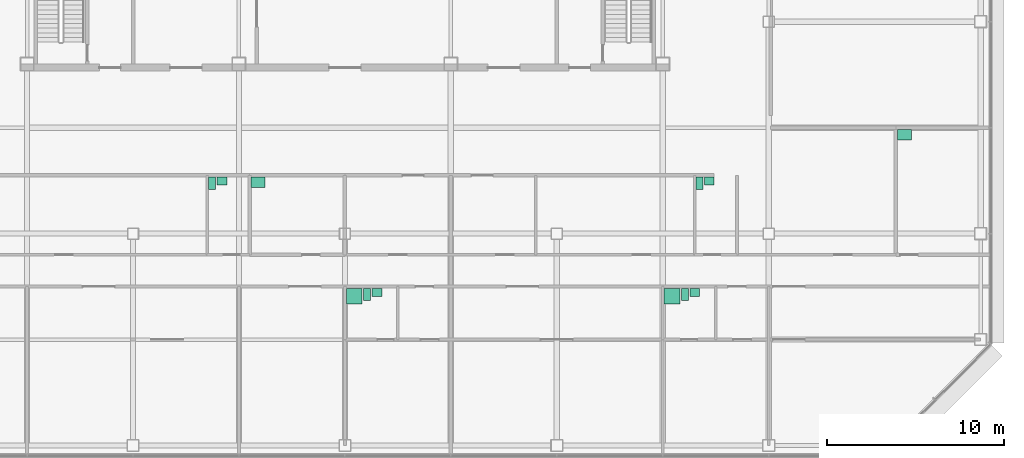
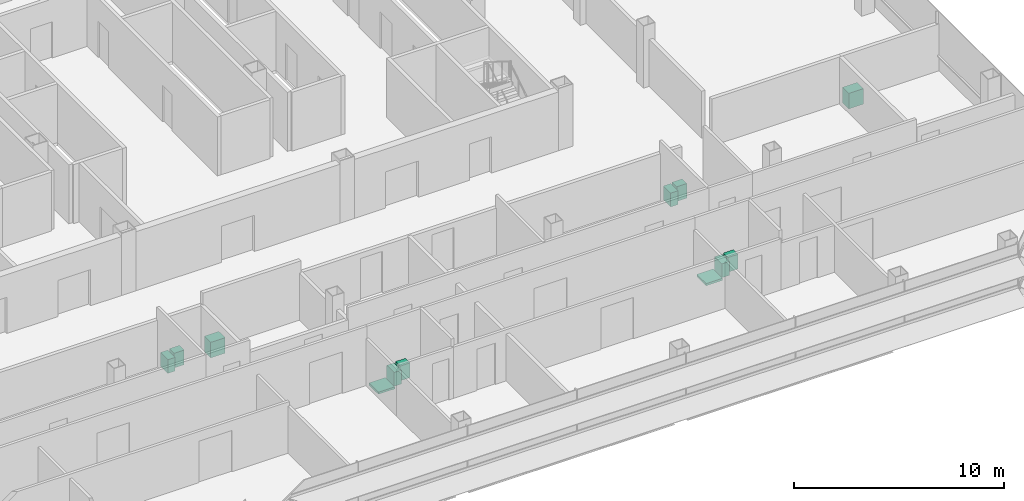
# One storey, part 24 of 24: 12 sanitary terminals.
"""IFC4 building model written with IfcOpenShell, lengths in metres."""

from ifc_helpers import new_model, si_unit, direction, frame, origin, origin_2d, place, context, subcontext, project, spatial, rectangle, extrude, element, save


model = new_model("IFC4")

# Units and contexts
model_context = context("Model", 3, precision=1e-05, world=origin(), true_north=direction((0.0, 1.0)))
body_context = subcontext(model_context, "Body", "Model", "MODEL_VIEW")
ifc_project = project(units=[si_unit("LENGTHUNIT", "METRE"), si_unit("AREAUNIT", "SQUARE_METRE"), si_unit("VOLUMEUNIT", "CUBIC_METRE"), si_unit("PLANEANGLEUNIT", "RADIAN"), si_unit("MASSUNIT", "GRAM", prefix="KILO")], contexts=[model_context])

# Site, building, storey
site_placement = place(None, origin())
site = spatial("IfcSite", under=ifc_project, at=site_placement, CompositionType="ELEMENT")
building_placement = place(site_placement, origin())
building = spatial("IfcBuilding", under=site, at=building_placement, Name="Sorahane Residences", CompositionType="ELEMENT")
storey_placement = place(building_placement, frame((0.0, 0.0, 174.39990234375)))
storey = spatial("IfcBuildingStorey", under=building, at=storey_placement, Name="L40", CompositionType="ELEMENT", Elevation=174.39990234375)

# Sanitary terminals
sanitary_terminal_1_placement = place(storey_placement, frame((24.530029296875, 8.449951171875, 0.0), z_axis=(0.0, 0.0, 1.0), x_axis=(1.0, 0.0, 0.0)))
element("IfcSanitaryTerminal", 1, at=sanitary_terminal_1_placement, inside=storey, Name="Shower tray En-suite bathroom 40A", PredefinedType="SHOWER", context=body_context, shape_type="SweptSolid", body=[
    extrude(rectangle(XDim=0.89990234375, YDim=0.89990234375, at=origin_2d()), origin(), (0.0, 0.0, 1.0), 0.1201171875),
])
sanitary_terminal_2_placement = place(storey_placement, frame((25.260009765625, 8.550048828125, 0.0), z_axis=(0.0, 0.0, 1.0), x_axis=(1.0, 0.0, 0.0)))
element("IfcSanitaryTerminal", 2, at=sanitary_terminal_2_placement, inside=storey, Name="WC pan En-suite bathroom 40A", PredefinedType="TOILETPAN", context=body_context, shape_type="SweptSolid", body=[
    extrude(rectangle(XDim=0.39990234375, YDim=0.699951171875, at=origin_2d()), origin(), (0.0, 0.0, 1.0), 0.800048828125),
])
sanitary_terminal_3_placement = place(storey_placement, frame((25.81494140625, 8.675048828125, 0.0), z_axis=(0.0, 0.0, 1.0), x_axis=(1.0, 0.0, 0.0)))
element("IfcSanitaryTerminal", 3, at=sanitary_terminal_3_placement, inside=storey, Name="Wash basin En-suite bathroom 40A", PredefinedType="WASHHANDBASIN", context=body_context, shape_type="SweptSolid", body=[
    extrude(rectangle(XDim=0.550048828125, YDim=0.449951171875, at=origin_2d()), origin(), (0.0, 0.0, 1.0), 0.85009765625),
])
sanitary_terminal_4_placement = place(storey_placement, frame((16.47998046875, 14.85009765625, 0.0), z_axis=(0.0, 0.0, 1.0), x_axis=(1.0, 0.0, 0.0)))
element("IfcSanitaryTerminal", 4, at=sanitary_terminal_4_placement, inside=storey, Name="WC pan Guest WC 40A", PredefinedType="TOILETPAN", context=body_context, shape_type="SweptSolid", body=[
    extrude(rectangle(XDim=0.39990234375, YDim=0.699951171875, at=origin_2d()), origin(), (0.0, 0.0, 1.0), 0.800048828125),
])
sanitary_terminal_5_placement = place(storey_placement, frame((17.034912109375, 14.97509765625, 0.0), z_axis=(0.0, 0.0, 1.0), x_axis=(1.0, 0.0, 0.0)))
element("IfcSanitaryTerminal", 5, at=sanitary_terminal_5_placement, inside=storey, Name="Wash basin Guest WC 40A", PredefinedType="WASHHANDBASIN", context=body_context, shape_type="SweptSolid", body=[
    extrude(rectangle(XDim=0.550048828125, YDim=0.449951171875, at=origin_2d()), origin(), (0.0, 0.0, 1.0), 0.85009765625),
])
sanitary_terminal_6_placement = place(storey_placement, frame((19.080078125, 14.89990234375, 0.000244140625), z_axis=(0.0, 0.0, 1.0), x_axis=(1.0, 0.0, 0.0)))
element("IfcSanitaryTerminal", 6, at=sanitary_terminal_6_placement, inside=storey, Name="Kitchen sink Kitchen 40A", PredefinedType="SINK", context=body_context, shape_type="SweptSolid", body=[
    extrude(rectangle(XDim=0.800048828125, YDim=0.60009765625, at=origin_2d()), origin(), (0.0, 0.0, 1.0), 0.89990234375),
])
sanitary_terminal_7_placement = place(storey_placement, frame((42.530029296875, 8.449951171875, 0.0), z_axis=(0.0, 0.0, 1.0), x_axis=(1.0, 0.0, 0.0)))
element("IfcSanitaryTerminal", 7, at=sanitary_terminal_7_placement, inside=storey, Name="Shower tray En-suite bathroom 40B", PredefinedType="SHOWER", context=body_context, shape_type="SweptSolid", body=[
    extrude(rectangle(XDim=0.89990234375, YDim=0.89990234375, at=origin_2d()), origin(), (0.0, 0.0, 1.0), 0.1201171875),
])
sanitary_terminal_8_placement = place(storey_placement, frame((43.260009765625, 8.550048828125, 0.0), z_axis=(0.0, 0.0, 1.0), x_axis=(1.0, 0.0, 0.0)))
element("IfcSanitaryTerminal", 8, at=sanitary_terminal_8_placement, inside=storey, Name="WC pan En-suite bathroom 40B", PredefinedType="TOILETPAN", context=body_context, shape_type="SweptSolid", body=[
    extrude(rectangle(XDim=0.39990234375, YDim=0.699951171875, at=origin_2d()), origin(), (0.0, 0.0, 1.0), 0.800048828125),
])
sanitary_terminal_9_placement = place(storey_placement, frame((43.81494140625, 8.675048828125, 0.0), z_axis=(0.0, 0.0, 1.0), x_axis=(1.0, 0.0, 0.0)))
element("IfcSanitaryTerminal", 9, at=sanitary_terminal_9_placement, inside=storey, Name="Wash basin En-suite bathroom 40B", PredefinedType="WASHHANDBASIN", context=body_context, shape_type="SweptSolid", body=[
    extrude(rectangle(XDim=0.550048828125, YDim=0.449951171875, at=origin_2d()), origin(), (0.0, 0.0, 1.0), 0.85009765625),
])
sanitary_terminal_10_placement = place(storey_placement, frame((44.080078125, 14.85009765625, 0.0), z_axis=(0.0, 0.0, 1.0), x_axis=(1.0, 0.0, 0.0)))
element("IfcSanitaryTerminal", 10, at=sanitary_terminal_10_placement, inside=storey, Name="WC pan Guest WC 40B", PredefinedType="TOILETPAN", context=body_context, shape_type="SweptSolid", body=[
    extrude(rectangle(XDim=0.39990234375, YDim=0.699951171875, at=origin_2d()), origin(), (0.0, 0.0, 1.0), 0.800048828125),
])
sanitary_terminal_11_placement = place(storey_placement, frame((44.635009765625, 14.97509765625, 0.0), z_axis=(0.0, 0.0, 1.0), x_axis=(1.0, 0.0, 0.0)))
element("IfcSanitaryTerminal", 11, at=sanitary_terminal_11_placement, inside=storey, Name="Wash basin Guest WC 40B", PredefinedType="WASHHANDBASIN", context=body_context, shape_type="SweptSolid", body=[
    extrude(rectangle(XDim=0.550048828125, YDim=0.449951171875, at=origin_2d()), origin(), (0.0, 0.0, 1.0), 0.85009765625),
])
sanitary_terminal_12_placement = place(storey_placement, frame((55.679931640625, 17.60009765625, 0.000244140625), z_axis=(0.0, 0.0, 1.0), x_axis=(1.0, 0.0, 0.0)))
element("IfcSanitaryTerminal", 12, at=sanitary_terminal_12_placement, inside=storey, Name="Kitchen sink Kitchen 40B", PredefinedType="SINK", context=body_context, shape_type="SweptSolid", body=[
    extrude(rectangle(XDim=0.800048828125, YDim=0.60009765625, at=origin_2d()), origin(), (0.0, 0.0, 1.0), 0.89990234375),
])

save(model, "model.ifc")
